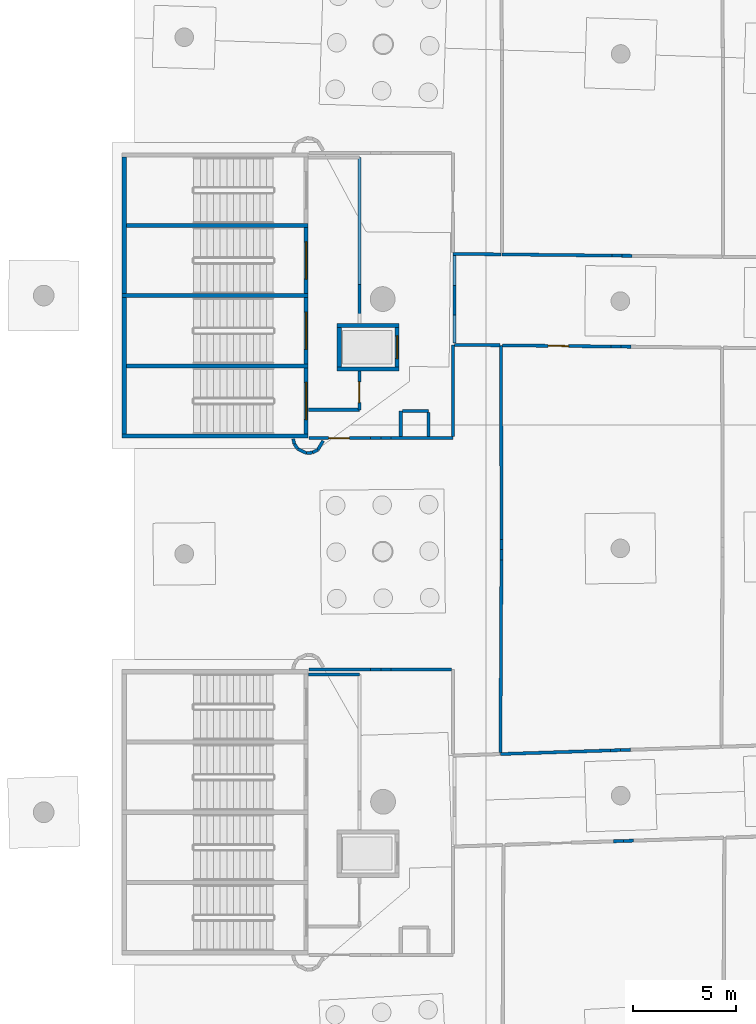
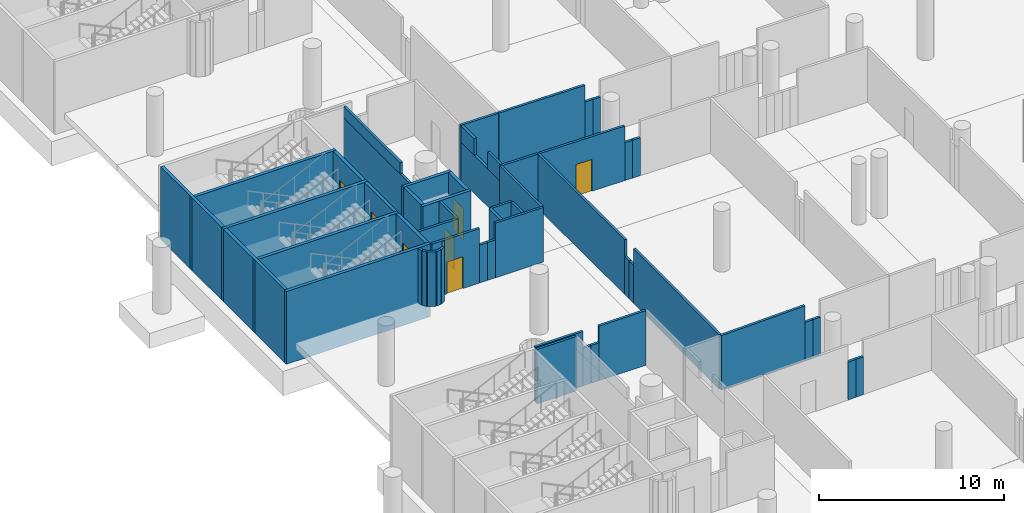
# One storey, part 47 of 142: 56 walls, 7 doors, 7 openings.
"""IFC4 building model written with IfcOpenShell, lengths in metres."""

from ifc_helpers import new_model, si_unit, direction, frame, frame_2d, origin, place, context, subcontext, project, spatial, rectangle, extrude, material, layer, layer_set, type_object, element, fill, save


model = new_model("IFC4")

# Units and contexts
model_context = context("Model", 3, precision=1e-05, world=origin(), true_north=direction((0.0, 1.0)))
body_context = subcontext(model_context, "Body", "Model", "MODEL_VIEW")
ifc_project = project(units=[si_unit("LENGTHUNIT", "METRE"), si_unit("AREAUNIT", "SQUARE_METRE"), si_unit("VOLUMEUNIT", "CUBIC_METRE"), si_unit("PLANEANGLEUNIT", "RADIAN"), si_unit("MASSUNIT", "GRAM", prefix="KILO")], contexts=[model_context])

# Site, building, storey
site_placement = place(None, origin())
site = spatial("IfcSite", under=ifc_project, at=site_placement, CompositionType="ELEMENT")
building_placement = place(site_placement, origin())
building = spatial("IfcBuilding", under=site, at=building_placement, Name="Meseta Stadium", CompositionType="ELEMENT")
storey_placement = place(building_placement, frame((0.0, 0.0, -4.0)))
storey = spatial("IfcBuildingStorey", under=building, at=storey_placement, Name="B1", CompositionType="ELEMENT", Elevation=-4.0)

# Walls
ifc_material_1 = material(Name="Concrete C40/50", Category="concrete")
ifc_layer_1 = layer(ifc_material_1, 0.199951171875)
ifc_layer_set_1 = layer_set([ifc_layer_1], Name="Core divider wall 200")
wall_type_1 = type_object("IfcWallType", Name="Core divider wall 200", PredefinedType="SHEAR", material=ifc_layer_set_1)
for number, where, z_axis, x_axis, name in (
    (1, (-97.60009765625, 9.64990234375, -1.199951171875), (0.0, 0.0, 1.0), (1.0, 0.0, 0.0), "Core 17 B1 stair A divider wall"),
    (2, (-97.60009765625, 2.85009765625, -1.199951171875), (0.0, 0.0, 1.0), (1.0, 0.0, 0.0), "Core 17 B1 stair B divider wall"),
):
    element("IfcWall", number, at=place(storey_placement, frame(where, z_axis=z_axis, x_axis=x_axis)), inside=storey, type_object=wall_type_1, Name=name, PredefinedType="SHEAR", context=body_context, shape_type="SweptSolid", body=[
        extrude(rectangle(XDim=9.0, YDim=0.199951171875, at=frame_2d((4.5, 0.0))), origin(), (0.0, 0.0, 1.0), 4.800048828125),
    ])
ifc_material_2 = material(Name="Concrete C40/50", Category="concrete")
ifc_layer_2 = layer(ifc_material_2, 0.199951171875)
ifc_layer_set_2 = layer_set([ifc_layer_2], Name="Core shaft wall 200")
wall_type_2 = type_object("IfcWallType", Name="Core shaft wall 200", PredefinedType="SHEAR", material=ifc_layer_set_2)
for number, where, z_axis, x_axis, name in (
    (3, (-97.60009765625, 6.25, -1.199951171875), (0.0, 0.0, 1.0), (1.0, 0.0, 0.0), "Core 17 B1 stair wall shared"),
    (4, (-97.60009765625, -0.550048828125, -1.199951171875), (0.0, 0.0, 1.0), (1.0, 0.0, 0.0), "Core 17 B1 stair wall B-side"),
):
    element("IfcWall", number, at=place(storey_placement, frame(where, z_axis=z_axis, x_axis=x_axis)), inside=storey, type_object=wall_type_2, Name=name, PredefinedType="SHEAR", context=body_context, shape_type="SweptSolid", body=[
        extrude(rectangle(XDim=9.0, YDim=0.199951171875, at=frame_2d((4.5, 0.0))), origin(), (0.0, 0.0, 1.0), 4.800048828125),
    ])
for number, where, z_axis, x_axis, name in (
    (5, (-97.5, 12.949951171875, -1.199951171875), (0.0, 0.0, 1.0), (0.0, -1.0, 0.0), "Core 17 B1 stair A outer end wall"),
    (6, (-97.5, 6.14990234375, -1.199951171875), (0.0, 0.0, 1.0), (0.0, -1.0, 0.0), "Core 17 B1 stair B outer end wall"),
):
    element("IfcWall", number, at=place(storey_placement, frame(where, z_axis=z_axis, x_axis=x_axis)), inside=storey, type_object=wall_type_2, Name=name, PredefinedType="SHEAR", context=body_context, shape_type="SweptSolid", body=[
        extrude(rectangle(XDim=6.599853515625, YDim=0.199951171875, at=frame_2d((3.2998046875, 0.0))), origin(), (0.0, 0.0, 1.0), 4.800048828125),
    ])

# Wall, opening, door
wall_1_placement = place(storey_placement, frame((-88.699951171875, 9.550048828125, -1.199951171875), z_axis=(0.0, 0.0, 1.0), x_axis=(0.0, -1.0, 0.0)))
wall_1 = element("IfcWall", 7, at=wall_1_placement, inside=storey, type_object=wall_type_2, Name="Core 17 B1 stair A2 inner end wall", PredefinedType="SHEAR", context=body_context, shape_type="SweptSolid", body=[
    extrude(rectangle(XDim=3.199951171875, YDim=0.199951171875, at=frame_2d((1.60009765625, 0.0))), origin(), (0.0, 0.0, 1.0), 4.800048828125),
])
opening_1_placement = place(wall_1_placement, frame((0.699951171875, 0.0, 1.199951171875)))
opening_1 = element("IfcOpeningElement", 8, at=opening_1_placement, cuts=wall_1, Name="Opening D226", PredefinedType="OPENING", context=body_context, shape_type="SweptSolid", body=[
    extrude(rectangle(XDim=1.800048828125, YDim=2.10009765625, at=frame_2d((0.89990234375, 1.050048828125))), frame((0.0, 0.10986328125, 0.0), z_axis=(0.0, -1.0, 0.0), x_axis=(1.0, 0.0, 0.0)), (0.0, 0.0, 1.0), 0.219970703125),
])
ifc_material_3 = material(Name="Steel", Category="steel")
door_type_1 = type_object("IfcDoorType", Name="Stair door 1800x2100", OperationType="DOUBLE_DOOR_SINGLE_SWING", PredefinedType="DOOR", material=ifc_material_3)
door_1_placement = place(opening_1_placement, origin())
door_1 = element("IfcDoor", 9, at=door_1_placement, inside=storey, type_object=door_type_1, Name="Stair A2 door 17 B1", OperationType="DOUBLE_DOOR_SINGLE_SWING", OverallHeight=2.10009765625, OverallWidth=1.800048828125, PredefinedType="DOOR", context=body_context, shape_type="SweptSolid", body=[
    extrude(rectangle(XDim=1.800048828125, YDim=2.10009765625, at=frame_2d((0.89990234375, 1.050048828125))), frame((0.0, 0.02490234375, 0.0), z_axis=(0.0, -1.0, 0.0), x_axis=(1.0, 0.0, 0.0)), (0.0, 0.0, 1.0), 0.050048828125),
])
fill(opening_1, door_1)

wall_2_placement = place(storey_placement, frame((-88.699951171875, 6.14990234375, -1.199951171875), z_axis=(0.0, 0.0, 1.0), x_axis=(0.0, -1.0, 0.0)))
wall_2 = element("IfcWall", 10, at=wall_2_placement, inside=storey, type_object=wall_type_2, Name="Core 17 B1 stair B1 inner end wall", PredefinedType="SHEAR", context=body_context, shape_type="SweptSolid", body=[
    extrude(rectangle(XDim=3.199951171875, YDim=0.199951171875, at=frame_2d((1.60009765625, 0.0))), origin(), (0.0, 0.0, 1.0), 4.800048828125),
])
opening_2_placement = place(wall_2_placement, frame((0.699951171875, 0.0, 1.199951171875)))
opening_2 = element("IfcOpeningElement", 11, at=opening_2_placement, cuts=wall_2, Name="Opening D227", PredefinedType="OPENING", context=body_context, shape_type="SweptSolid", body=[
    extrude(rectangle(XDim=1.800048828125, YDim=2.10009765625, at=frame_2d((0.89990234375, 1.050048828125))), frame((0.0, 0.10986328125, 0.0), z_axis=(0.0, -1.0, 0.0), x_axis=(1.0, 0.0, 0.0)), (0.0, 0.0, 1.0), 0.219970703125),
])
door_2_placement = place(opening_2_placement, origin())
door_2 = element("IfcDoor", 12, at=door_2_placement, inside=storey, type_object=door_type_1, Name="Stair B1 door 17 B1", OperationType="DOUBLE_DOOR_SINGLE_SWING", OverallHeight=2.10009765625, OverallWidth=1.800048828125, PredefinedType="DOOR", context=body_context, shape_type="SweptSolid", body=[
    extrude(rectangle(XDim=1.800048828125, YDim=2.10009765625, at=frame_2d((0.89990234375, 1.050048828125))), frame((0.0, 0.02490234375, 0.0), z_axis=(0.0, -1.0, 0.0), x_axis=(1.0, 0.0, 0.0)), (0.0, 0.0, 1.0), 0.050048828125),
])
fill(opening_2, door_2)

wall_3_placement = place(storey_placement, frame((-88.699951171875, 2.75, -1.199951171875), z_axis=(0.0, 0.0, 1.0), x_axis=(0.0, -1.0, 0.0)))
wall_3 = element("IfcWall", 13, at=wall_3_placement, inside=storey, type_object=wall_type_2, Name="Core 17 B1 stair B2 inner end wall", PredefinedType="SHEAR", context=body_context, shape_type="SweptSolid", body=[
    extrude(rectangle(XDim=3.199951171875, YDim=0.199951171875, at=frame_2d((1.60009765625, 0.0))), origin(), (0.0, 0.0, 1.0), 4.800048828125),
])
opening_3_placement = place(wall_3_placement, frame((0.699951171875, 0.0, 1.199951171875)))
opening_3 = element("IfcOpeningElement", 14, at=opening_3_placement, cuts=wall_3, Name="Opening D228", PredefinedType="OPENING", context=body_context, shape_type="SweptSolid", body=[
    extrude(rectangle(XDim=1.800048828125, YDim=2.10009765625, at=frame_2d((0.89990234375, 1.050048828125))), frame((0.0, 0.10986328125, 0.0), z_axis=(0.0, -1.0, 0.0), x_axis=(1.0, 0.0, 0.0)), (0.0, 0.0, 1.0), 0.219970703125),
])
door_3_placement = place(opening_3_placement, origin())
door_3 = element("IfcDoor", 15, at=door_3_placement, inside=storey, type_object=door_type_1, Name="Stair B2 door 17 B1", OperationType="DOUBLE_DOOR_SINGLE_SWING", OverallHeight=2.10009765625, OverallWidth=1.800048828125, PredefinedType="DOOR", context=body_context, shape_type="SweptSolid", body=[
    extrude(rectangle(XDim=1.800048828125, YDim=2.10009765625, at=frame_2d((0.89990234375, 1.050048828125))), frame((0.0, 0.02490234375, 0.0), z_axis=(0.0, -1.0, 0.0), x_axis=(1.0, 0.0, 0.0)), (0.0, 0.0, 1.0), 0.050048828125),
])
fill(opening_3, door_3)

# Walls
for number, where, z_axis, x_axis, name in (
    (16, (-87.199951171875, 4.800048828125, -1.199951171875), (0.0, 0.0, 1.0), (1.0, 0.0, 0.0), "Core 17 B1 lift shaft wall left"),
    (17, (-87.199951171875, 2.699951171875, -1.199951171875), (0.0, 0.0, 1.0), (1.0, 0.0, 0.0), "Core 17 B1 lift shaft wall right"),
):
    element("IfcWall", number, at=place(storey_placement, frame(where, z_axis=z_axis, x_axis=x_axis)), inside=storey, type_object=wall_type_2, Name=name, PredefinedType="SHEAR", context=body_context, shape_type="SweptSolid", body=[
        extrude(rectangle(XDim=3.0, YDim=0.199951171875, at=frame_2d((1.5, 0.0))), origin(), (0.0, 0.0, 1.0), 4.800048828125),
    ])
wall_4_placement = place(storey_placement, frame((-87.10009765625, 4.699951171875, -1.199951171875), z_axis=(0.0, 0.0, 1.0), x_axis=(0.0, -1.0, 0.0)))
element("IfcWall", 18, at=wall_4_placement, inside=storey, type_object=wall_type_2, Name="Core 17 B1 lift shaft back wall", PredefinedType="SHEAR", context=body_context, shape_type="SweptSolid", body=[
    extrude(rectangle(XDim=1.89990234375, YDim=0.199951171875, at=frame_2d((0.949951171875, 0.0))), origin(), (0.0, 0.0, 1.0), 4.800048828125),
])

# Wall, opening, door
wall_5_placement = place(storey_placement, frame((-84.300048828125, 4.699951171875, -1.199951171875), z_axis=(0.0, 0.0, 1.0), x_axis=(0.0, -1.0, 0.0)))
wall_5 = element("IfcWall", 19, at=wall_5_placement, inside=storey, type_object=wall_type_2, Name="Core 17 B1 lift shaft front wall", PredefinedType="SHEAR", context=body_context, shape_type="SweptSolid", body=[
    extrude(rectangle(XDim=1.89990234375, YDim=0.199951171875, at=frame_2d((0.949951171875, 0.0))), origin(), (0.0, 0.0, 1.0), 4.800048828125),
])
opening_4_placement = place(wall_5_placement, frame((0.39990234375, 0.0, 1.199951171875)))
opening_4 = element("IfcOpeningElement", 20, at=opening_4_placement, cuts=wall_5, Name="Opening LD91", PredefinedType="OPENING", context=body_context, shape_type="SweptSolid", body=[
    extrude(rectangle(XDim=1.10009765625, YDim=2.10009765625, at=frame_2d((0.550048828125, 1.050048828125))), frame((0.0, 0.10986328125, 0.0), z_axis=(0.0, -1.0, 0.0), x_axis=(1.0, 0.0, 0.0)), (0.0, 0.0, 1.0), 0.219970703125),
])
ifc_material_4 = material(Name="Steel", Category="steel")
door_type_2 = type_object("IfcDoorType", Name="Lift landing door 1100x2100", OperationType="SLIDING_TO_LEFT", PredefinedType="DOOR", material=ifc_material_4)
door_4_placement = place(opening_4_placement, origin())
door_4 = element("IfcDoor", 21, at=door_4_placement, inside=storey, type_object=door_type_2, Name="Lift landing door LD91", OperationType="SLIDING_TO_LEFT", OverallHeight=2.10009765625, OverallWidth=1.10009765625, PredefinedType="DOOR", context=body_context, shape_type="SweptSolid", body=[
    extrude(rectangle(XDim=1.10009765625, YDim=2.10009765625, at=frame_2d((0.550048828125, 1.050048828125))), frame((0.0, 0.02490234375, 0.0), z_axis=(0.0, -1.0, 0.0), x_axis=(1.0, 0.0, 0.0)), (0.0, 0.0, 1.0), 0.050048828125),
])
fill(opening_4, door_4)

# Walls
ifc_material_5 = material(Name="Masonry blockwork", Category="masonry")
ifc_layer_3 = layer(ifc_material_5, 0.14990234375)
ifc_layer_set_3 = layer_set([ifc_layer_3], Name="Partition 150")
wall_type_3 = type_object("IfcWallType", Name="Partition 150", PredefinedType="PARTITIONING", material=ifc_layer_set_3)
wall_6_placement = place(storey_placement, frame((-72.930908203125, 8.17529296875, 0.0), z_axis=(0.0, 0.0, 1.0), x_axis=(-0.999938401812, 0.011099215358, 0.0)))
element("IfcWall", 22, at=wall_6_placement, inside=storey, type_object=wall_type_3, Name="Partition B1 B1-cell15-2-0", PredefinedType="PARTITIONING", context=body_context, shape_type="SweptSolid", body=[
    extrude(rectangle(XDim=0.48388671875, YDim=0.14990234375, at=frame_2d((0.241943359375, 0.0))), origin(), (0.0, 0.0, 1.0), 2.5),
])
wall_7_placement = place(storey_placement, frame((-73.414794921875, 8.1806640625, 0.0), z_axis=(0.0, 0.0, 1.0), x_axis=(-0.999943930506, 0.010589421352, 0.0)))
element("IfcWall", 23, at=wall_7_placement, inside=storey, type_object=wall_type_3, Name="Partition B1 B1-cell15-2-0", PredefinedType="PARTITIONING", context=body_context, shape_type="SweptSolid", body=[
    extrude(rectangle(XDim=0.484130859375, YDim=0.14990234375, at=frame_2d((0.2421875, 0.0))), origin(), (0.0, 0.0, 1.0), 2.5),
])
wall_8_placement = place(storey_placement, frame((-73.89892578125, 8.185791015625, 0.0), z_axis=(0.0, 0.0, 1.0), x_axis=(-0.999939460098, 0.011003460359, 0.0)))
element("IfcWall", 24, at=wall_8_placement, inside=storey, type_object=wall_type_3, Name="Partition B1 B1-cell15-2-0", PredefinedType="PARTITIONING", context=body_context, shape_type="SweptSolid", body=[
    extrude(rectangle(XDim=5.324951171875, YDim=0.14990234375, at=frame_2d((2.66259765625, 0.0))), origin(), (0.0, 0.0, 1.0), 3.60009765625),
])
wall_9_placement = place(storey_placement, frame((-79.273681640625, 8.244873046875, 0.0), z_axis=(0.0, 0.0, 1.0), x_axis=(-0.999940447056, 0.010913401878, 0.0)))
element("IfcWall", 25, at=wall_9_placement, inside=storey, type_object=wall_type_3, Name="Partition B1 B1-cell15-3-0", PredefinedType="PARTITIONING", context=body_context, shape_type="SweptSolid", body=[
    extrude(rectangle(XDim=2.32666015625, YDim=0.14990234375, at=frame_2d((1.163330078125, 0.0))), origin(), (0.0, 0.0, 1.0), 3.60009765625),
])
for number, where, z_axis, x_axis, name in (
    (26, (-73.01171875, -15.726806640625, 0.0), (0.0, 0.0, 1.0), (-0.99946267225, -0.03277753466, 0.0), "Partition B1 B1-cell16-2-0"),
    (27, (-73.49560546875, -15.74267578125, 0.0), (0.0, 0.0, 1.0), (-0.999446025752, -0.033281250101, 0.0), "Partition B1 B1-cell16-2-0"),
):
    element("IfcWall", number, at=place(storey_placement, frame(where, z_axis=z_axis, x_axis=x_axis)), inside=storey, type_object=wall_type_3, Name=name, PredefinedType="PARTITIONING", context=body_context, shape_type="SweptSolid", body=[
        extrude(rectangle(XDim=0.484130859375, YDim=0.14990234375, at=frame_2d((0.2421875, 0.0))), origin(), (0.0, 0.0, 1.0), 2.5),
    ])
wall_10_placement = place(storey_placement, frame((-73.9794921875, -15.7587890625, 0.0), z_axis=(0.0, 0.0, 1.0), x_axis=(-0.999461070607, -0.03282633608, 0.0)))
element("IfcWall", 28, at=wall_10_placement, inside=storey, type_object=wall_type_3, Name="Partition B1 B1-cell16-2-0", PredefinedType="PARTITIONING", context=body_context, shape_type="SweptSolid", body=[
    extrude(rectangle(XDim=5.3251953125, YDim=0.14990234375, at=frame_2d((2.66259765625, 0.0))), origin(), (0.0, 0.0, 1.0), 3.60009765625),
])
wall_11_placement = place(storey_placement, frame((-79.30126953125, -15.858642578125, 0.0), z_axis=(0.0, 0.0, 1.0), x_axis=(0.00544865386, 0.999985155975, 0.0)))
element("IfcWall", 29, at=wall_11_placement, inside=storey, type_object=wall_type_3, Name="Partition B1 B1-cell16-2-0", PredefinedType="PARTITIONING", context=body_context, shape_type="SweptSolid", body=[
    extrude(rectangle(XDim=9.320068359375, YDim=0.14990234375, at=frame_2d((4.66015625, 0.0))), origin(), (0.0, 0.0, 1.0), 3.60009765625),
])
wall_12_placement = place(storey_placement, frame((-79.25048828125, -6.538818359375, 0.0), z_axis=(0.0, 0.0, 1.0), x_axis=(0.005432018623, 0.999985246478, 0.0)))
element("IfcWall", 30, at=wall_12_placement, inside=storey, type_object=wall_type_3, Name="Partition B1 B1-cell16-2-0", PredefinedType="PARTITIONING", context=body_context, shape_type="SweptSolid", body=[
    extrude(rectangle(XDim=0.494384765625, YDim=0.14990234375, at=frame_2d((0.2470703125, 0.0))), origin(), (0.0, 0.0, 1.0), 2.5),
])
wall_13_placement = place(storey_placement, frame((-79.247802734375, -6.04443359375, 0.0), z_axis=(0.0, 0.0, 1.0), x_axis=(-0.001974329814, 0.999998051009, 0.0)))
element("IfcWall", 31, at=wall_13_placement, inside=storey, type_object=wall_type_3, Name="Partition B1 B1-cell16-2-0", PredefinedType="PARTITIONING", context=body_context, shape_type="SweptSolid", body=[
    extrude(rectangle(XDim=0.49462890625, YDim=0.14990234375, at=frame_2d((0.247314453125, 0.0))), origin(), (0.0, 0.0, 1.0), 2.5),
])
wall_14_placement = place(storey_placement, frame((-79.248779296875, -5.5498046875, 0.0), z_axis=(0.0, 0.0, 1.0), x_axis=(-0.002442883638, 0.999997016155, 0.0)))
element("IfcWall", 32, at=wall_14_placement, inside=storey, type_object=wall_type_3, Name="Partition B1 B1-cell16-2-0", PredefinedType="PARTITIONING", context=body_context, shape_type="SweptSolid", body=[
    extrude(rectangle(XDim=9.394287109375, YDim=0.14990234375, at=frame_2d((4.697265625, 0.0))), origin(), (0.0, 0.0, 1.0), 3.60009765625),
])

# Wall, opening, door
wall_15_placement = place(storey_placement, frame((-79.19677734375, 3.84375, 0.0), z_axis=(0.0, 0.0, 1.0), x_axis=(0.999939777793, -0.010974551809, 0.0)))
wall_15 = element("IfcWall", 33, at=wall_15_placement, inside=storey, type_object=wall_type_3, Name="Partition B1 B1-cell16-2-0", PredefinedType="PARTITIONING", context=body_context, shape_type="SweptSolid", body=[
    extrude(rectangle(XDim=5.25, YDim=0.14990234375, at=frame_2d((2.625, 0.0))), origin(), (0.0, 0.0, 1.0), 3.60009765625),
])
opening_5_placement = place(wall_15_placement, frame((2.199951171875, 0.0, 0.0)))
opening_5 = element("IfcOpeningElement", 34, at=opening_5_placement, cuts=wall_15, Name="Opening D480", PredefinedType="OPENING", context=body_context, shape_type="SweptSolid", body=[
    extrude(rectangle(XDim=1.0, YDim=2.10009765625, at=frame_2d((0.5, 1.050048828125))), frame((0.0, 0.0849609375, 0.0), z_axis=(0.0, -1.0, 0.0), x_axis=(1.0, 0.0, 0.0)), (0.0, 0.0, 1.0), 0.169921875),
])
ifc_material_6 = material(Name="Steel", Category="steel")
door_type_3 = type_object("IfcDoorType", Name="Fire door 1000x2100 EI2 120", OperationType="NOTDEFINED", PredefinedType="DOOR", material=ifc_material_6)
door_5_placement = place(opening_5_placement, origin())
door_5 = element("IfcDoor", 35, at=door_5_placement, inside=storey, type_object=door_type_3, Name="Door D480", OperationType="SINGLE_SWING_LEFT", OverallHeight=2.10009765625, OverallWidth=1.0, PredefinedType="DOOR", context=body_context, shape_type="SweptSolid", body=[
    extrude(rectangle(XDim=1.0, YDim=2.10009765625, at=frame_2d((0.5, 1.050048828125))), frame((0.0, 0.02490234375, 0.0), z_axis=(0.0, -1.0, 0.0), x_axis=(1.0, 0.0, 0.0)), (0.0, 0.0, 1.0), 0.050048828125),
])
fill(opening_5, door_5)

# Walls
wall_16_placement = place(storey_placement, frame((-73.947021484375, 3.7861328125, 0.0), z_axis=(0.0, 0.0, 1.0), x_axis=(0.999938401812, -0.011099215358, 0.0)))
element("IfcWall", 36, at=wall_16_placement, inside=storey, type_object=wall_type_3, Name="Partition B1 B1-cell16-2-0", PredefinedType="PARTITIONING", context=body_context, shape_type="SweptSolid", body=[
    extrude(rectangle(XDim=0.48388671875, YDim=0.14990234375, at=frame_2d((0.241943359375, 0.0))), origin(), (0.0, 0.0, 1.0), 2.5),
])
wall_17_placement = place(storey_placement, frame((-73.463134765625, 3.78076171875, 0.0), z_axis=(0.0, 0.0, 1.0), x_axis=(0.999938463917, -0.011093618863, 0.0)))
element("IfcWall", 37, at=wall_17_placement, inside=storey, type_object=wall_type_3, Name="Partition B1 B1-cell16-2-0", PredefinedType="PARTITIONING", context=body_context, shape_type="SweptSolid", body=[
    extrude(rectangle(XDim=0.484130859375, YDim=0.14990234375, at=frame_2d((0.2421875, 0.0))), origin(), (0.0, 0.0, 1.0), 2.5),
])
wall_18_placement = place(storey_placement, frame((-81.675048828125, -11.85009765625, 0.0), z_axis=(0.0, 0.0, 1.0), x_axis=(-1.0, 0.0, 0.0)))
element("IfcWall", 38, at=wall_18_placement, inside=storey, type_object=wall_type_3, Name="Partition B1 B1-cell16-3-0", PredefinedType="PARTITIONING", context=body_context, shape_type="SweptSolid", body=[
    extrude(rectangle(XDim=2.907958984375, YDim=0.14990234375, at=frame_2d((1.4541015625, 0.0))), origin(), (0.0, 0.0, 1.0), 3.60009765625),
])
for number, where, z_axis, x_axis, name in (
    (39, (-84.5830078125, -11.85009765625, 0.0), (0.0, 0.0, 1.0), (-1.0, 0.0, 0.0), "Partition B1 B1-cell16-3-0"),
    (40, (-85.080078125, -11.85009765625, 0.0), (0.0, 0.0, 1.0), (-1.0, 0.0, 0.0), "Partition B1 B1-cell16-3-0"),
):
    element("IfcWall", number, at=place(storey_placement, frame(where, z_axis=z_axis, x_axis=x_axis)), inside=storey, type_object=wall_type_3, Name=name, PredefinedType="PARTITIONING", context=body_context, shape_type="SweptSolid", body=[
        extrude(rectangle(XDim=0.4970703125, YDim=0.14990234375, at=frame_2d((0.24853515625, 0.0))), origin(), (0.0, 0.0, 1.0), 2.5),
    ])
wall_19_placement = place(storey_placement, frame((-85.5771484375, -11.85009765625, 0.0), z_axis=(0.0, 0.0, 1.0), x_axis=(-1.0, 0.0, 0.0)))
element("IfcWall", 41, at=wall_19_placement, inside=storey, type_object=wall_type_3, Name="Partition B1 B1-cell16-3-0", PredefinedType="PARTITIONING", context=body_context, shape_type="SweptSolid", body=[
    extrude(rectangle(XDim=2.98291015625, YDim=0.14990234375, at=frame_2d((1.491455078125, 0.0))), origin(), (0.0, 0.0, 1.0), 3.60009765625),
])

# Wall, opening, door
wall_20_placement = place(storey_placement, frame((-88.56005859375, -0.64990234375, 0.0), z_axis=(0.0, 0.0, 1.0), x_axis=(1.0, 0.0, 0.0)))
wall_20 = element("IfcWall", 42, at=wall_20_placement, inside=storey, type_object=wall_type_3, Name="Partition B1 B1-cell16-3-0", PredefinedType="PARTITIONING", context=body_context, shape_type="SweptSolid", body=[
    extrude(rectangle(XDim=2.98291015625, YDim=0.14990234375, at=frame_2d((1.491455078125, 0.0))), origin(), (0.0, 0.0, 1.0), 3.60009765625),
])
opening_6_placement = place(wall_20_placement, frame((0.949951171875, 0.0, 0.0)))
opening_6 = element("IfcOpeningElement", 43, at=opening_6_placement, cuts=wall_20, Name="Opening D481", PredefinedType="OPENING", context=body_context, shape_type="SweptSolid", body=[
    extrude(rectangle(XDim=1.0, YDim=2.10009765625, at=frame_2d((0.5, 1.050048828125))), frame((0.0, 0.0849609375, 0.0), z_axis=(0.0, -1.0, 0.0), x_axis=(1.0, 0.0, 0.0)), (0.0, 0.0, 1.0), 0.169921875),
])
ifc_material_7 = material(Name="Steel", Category="steel")
door_type_4 = type_object("IfcDoorType", Name="Fire door 1000x2100 EI2 60", OperationType="NOTDEFINED", PredefinedType="DOOR", material=ifc_material_7)
door_6_placement = place(opening_6_placement, origin())
door_6 = element("IfcDoor", 44, at=door_6_placement, inside=storey, type_object=door_type_4, Name="Door D481", OperationType="SINGLE_SWING_RIGHT", OverallHeight=2.10009765625, OverallWidth=1.0, PredefinedType="DOOR", context=body_context, shape_type="SweptSolid", body=[
    extrude(rectangle(XDim=1.0, YDim=2.10009765625, at=frame_2d((0.5, 1.050048828125))), frame((0.0, 0.02490234375, 0.0), z_axis=(0.0, -1.0, 0.0), x_axis=(1.0, 0.0, 0.0)), (0.0, 0.0, 1.0), 0.050048828125),
])
fill(opening_6, door_6)

# Walls
for number, where, z_axis, x_axis, name in (
    (45, (-85.5771484375, -0.64990234375, 0.0), (0.0, 0.0, 1.0), (1.0, 0.0, 0.0), "Partition B1 B1-cell16-3-0"),
    (46, (-85.080078125, -0.64990234375, 0.0), (0.0, 0.0, 1.0), (1.0, 0.0, 0.0), "Partition B1 B1-cell16-3-0"),
):
    element("IfcWall", number, at=place(storey_placement, frame(where, z_axis=z_axis, x_axis=x_axis)), inside=storey, type_object=wall_type_3, Name=name, PredefinedType="PARTITIONING", context=body_context, shape_type="SweptSolid", body=[
        extrude(rectangle(XDim=0.4970703125, YDim=0.14990234375, at=frame_2d((0.24853515625, 0.0))), origin(), (0.0, 0.0, 1.0), 2.5),
    ])
wall_21_placement = place(storey_placement, frame((-84.5830078125, -0.64990234375, 0.0), z_axis=(0.0, 0.0, 1.0), x_axis=(1.0, 0.0, 0.0)))
element("IfcWall", 47, at=wall_21_placement, inside=storey, type_object=wall_type_3, Name="Partition B1 B1-cell16-3-0", PredefinedType="PARTITIONING", context=body_context, shape_type="SweptSolid", body=[
    extrude(rectangle(XDim=2.98291015625, YDim=0.14990234375, at=frame_2d((1.491455078125, 0.0))), origin(), (0.0, 0.0, 1.0), 3.60009765625),
])
wall_22_placement = place(storey_placement, frame((-81.60009765625, -0.574951171875, 0.0), z_axis=(0.0, 0.0, 1.0), x_axis=(0.0, 1.0, 0.0)))
element("IfcWall", 48, at=wall_22_placement, inside=storey, type_object=wall_type_3, Name="Partition B1 B1-cell16-3-0", PredefinedType="PARTITIONING", context=body_context, shape_type="SweptSolid", body=[
    extrude(rectangle(XDim=4.445068359375, YDim=0.14990234375, at=frame_2d((2.22265625, 0.0))), origin(), (0.0, 0.0, 1.0), 3.60009765625),
])
wall_23_placement = place(storey_placement, frame((-81.52490234375, 3.869140625, 0.0), z_axis=(0.0, 0.0, 1.0), x_axis=(0.999941036186, -0.010859288735, 0.0)))
element("IfcWall", 49, at=wall_23_placement, inside=storey, type_object=wall_type_3, Name="Partition B1 B1-cell16-3-0", PredefinedType="PARTITIONING", context=body_context, shape_type="SweptSolid", body=[
    extrude(rectangle(XDim=2.203369140625, YDim=0.14990234375, at=frame_2d((1.1015625, 0.0))), origin(), (0.0, 0.0, 1.0), 3.60009765625),
])
for number, where, z_axis, x_axis, name in (
    (50, (-73.8349609375, -20.15625, 0.0), (0.0, 0.0, 1.0), (0.99946267225, 0.03277753466, 0.0), "Partition B1 B1-cell17-2-0"),
    (51, (-73.35107421875, -20.140380859375, 0.0), (0.0, 0.0, 1.0), (0.99946267225, 0.03277753466, 0.0), "Partition B1 B1-cell17-2-0"),
):
    element("IfcWall", number, at=place(storey_placement, frame(where, z_axis=z_axis, x_axis=x_axis)), inside=storey, type_object=wall_type_3, Name=name, PredefinedType="PARTITIONING", context=body_context, shape_type="SweptSolid", body=[
        extrude(rectangle(XDim=0.484130859375, YDim=0.14990234375, at=frame_2d((0.2421875, 0.0))), origin(), (0.0, 0.0, 1.0), 2.5),
    ])
wall_24_placement = place(storey_placement, frame((-84.125, 0.675048828125, 0.0), z_axis=(0.0, 0.0, 1.0), x_axis=(0.0, -1.0, 0.0)))
element("IfcWall", 52, at=wall_24_placement, inside=storey, type_object=wall_type_3, Name="Pressurisation shaft wall B1 core 17", PredefinedType="PARTITIONING", context=body_context, shape_type="SweptSolid", body=[
    extrude(rectangle(XDim=1.2490234375, YDim=0.14990234375, at=frame_2d((0.62451171875, 0.0))), origin(), (0.0, 0.0, 1.0), 3.60009765625),
])
wall_25_placement = place(storey_placement, frame((-82.77490234375, -0.573974609375, 0.0), z_axis=(0.0, 0.0, 1.0), x_axis=(0.0, 1.0, 0.0)))
element("IfcWall", 53, at=wall_25_placement, inside=storey, type_object=wall_type_3, Name="Pressurisation shaft wall B1 core 17", PredefinedType="PARTITIONING", context=body_context, shape_type="SweptSolid", body=[
    extrude(rectangle(XDim=1.174072265625, YDim=0.14990234375, at=frame_2d((0.5869140625, 0.0))), origin(), (0.0, 0.0, 1.0), 3.60009765625),
])
wall_26_placement = place(storey_placement, frame((-82.77490234375, 0.675048828125, 0.0), z_axis=(0.0, 0.0, 1.0), x_axis=(-1.0, 0.0, 0.0)))
element("IfcWall", 54, at=wall_26_placement, inside=storey, type_object=wall_type_3, Name="Pressurisation shaft wall B1 core 17", PredefinedType="PARTITIONING", context=body_context, shape_type="SweptSolid", body=[
    extrude(rectangle(XDim=1.275146484375, YDim=0.14990234375, at=frame_2d((0.6376953125, 0.0))), origin(), (0.0, 0.0, 1.0), 3.60009765625),
])
wall_27_placement = place(storey_placement, frame((-88.590087890625, 0.72509765625, 0.0), z_axis=(0.0, 0.0, 1.0), x_axis=(1.0, 0.0, 0.0)))
element("IfcWall", 55, at=wall_27_placement, inside=storey, type_object=wall_type_3, Name="Stair vestibule wall B1 core 17", PredefinedType="PARTITIONING", context=body_context, shape_type="SweptSolid", body=[
    extrude(rectangle(XDim=2.465087890625, YDim=0.14990234375, at=frame_2d((1.232421875, 0.0))), origin(), (0.0, 0.0, 1.0), 3.60009765625),
])

# Wall, opening, door
wall_28_placement = place(storey_placement, frame((-86.125, 0.72509765625, 0.0), z_axis=(0.0, 0.0, 1.0), x_axis=(0.0, 1.0, 0.0)))
wall_28 = element("IfcWall", 56, at=wall_28_placement, inside=storey, type_object=wall_type_3, Name="Stair vestibule wall B1 core 17", PredefinedType="PARTITIONING", context=body_context, shape_type="SweptSolid", body=[
    extrude(rectangle(XDim=1.864990234375, YDim=0.14990234375, at=frame_2d((0.9326171875, 0.0))), origin(), (0.0, 0.0, 1.0), 3.60009765625),
])
opening_7_placement = place(wall_28_placement, frame((0.35009765625, 0.0, 0.0)))
opening_7 = element("IfcOpeningElement", 57, at=opening_7_placement, cuts=wall_28, Name="Opening D731", PredefinedType="OPENING", context=body_context, shape_type="SweptSolid", body=[
    extrude(rectangle(XDim=1.0, YDim=2.10009765625, at=frame_2d((0.5, 1.050048828125))), frame((0.0, 0.0849609375, 0.0), z_axis=(0.0, -1.0, 0.0), x_axis=(1.0, 0.0, 0.0)), (0.0, 0.0, 1.0), 0.169921875),
])
door_7_placement = place(opening_7_placement, origin())
door_7 = element("IfcDoor", 58, at=door_7_placement, inside=storey, type_object=door_type_4, Name="Stair vestibule door B1 core 17", OperationType="SINGLE_SWING_LEFT", OverallHeight=2.10009765625, OverallWidth=1.0, PredefinedType="DOOR", context=body_context, shape_type="SweptSolid", body=[
    extrude(rectangle(XDim=1.0, YDim=2.10009765625, at=frame_2d((0.5, 1.050048828125))), frame((0.0, 0.02490234375, 0.0), z_axis=(0.0, -1.0, 0.0), x_axis=(1.0, 0.0, 0.0)), (0.0, 0.0, 1.0), 0.050048828125),
])
fill(opening_7, door_7)

# Walls
wall_29_placement = place(storey_placement, frame((-86.125, 4.909912109375, 0.0), z_axis=(0.0, 0.0, 1.0), x_axis=(0.0, 1.0, 0.0)))
element("IfcWall", 59, at=wall_29_placement, inside=storey, type_object=wall_type_3, Name="Stair vestibule wall B1 core 17", PredefinedType="PARTITIONING", context=body_context, shape_type="SweptSolid", body=[
    extrude(rectangle(XDim=8.01513671875, YDim=0.14990234375, at=frame_2d((4.007568359375, 0.0))), origin(), (0.0, 0.0, 1.0), 2.85009765625),
])
wall_30_placement = place(storey_placement, frame((-86.125, 6.7958984375, 2.85009765625), z_axis=(0.0, 0.0, 1.0), x_axis=(0.0, 1.0, 0.0)))
element("IfcWall", 60, at=wall_30_placement, inside=storey, type_object=wall_type_3, Name="Stair vestibule wall B1 core 17", PredefinedType="PARTITIONING", context=body_context, shape_type="SweptSolid", body=[
    extrude(rectangle(XDim=6.129150390625, YDim=0.14990234375, at=frame_2d((3.064453125, 0.0))), origin(), (0.0, 0.0, 1.0), 0.75),
])
wall_31_placement = place(storey_placement, frame((-89.329833984375, -0.678466796875, 0.0), z_axis=(0.0, 0.0, 1.0), x_axis=(0.230253879357, -0.973130593004, 0.0)))
element("IfcWall", 61, at=wall_31_placement, inside=storey, type_object=wall_type_3, Name="Stair vestibule wall B1 core 17", PredefinedType="PARTITIONING", context=body_context, shape_type="SweptSolid", body=[
    extrude(rectangle(XDim=0.257568359375, YDim=0.14990234375, at=frame_2d((0.12890625, 0.0))), origin(), (0.0, 0.0, 1.0), 3.60009765625),
])
wall_32_placement = place(storey_placement, frame((-89.2705078125, -0.92919921875, 0.0), z_axis=(0.0, 0.0, 1.0), x_axis=(0.555678694372, -0.831397130511, 0.0)))
element("IfcWall", 62, at=wall_32_placement, inside=storey, type_object=wall_type_3, Name="Stair vestibule wall B1 core 17", PredefinedType="PARTITIONING", context=body_context, shape_type="SweptSolid", body=[
    extrude(rectangle(XDim=0.287841796875, YDim=0.14990234375, at=frame_2d((0.14404296875, 0.0))), origin(), (0.0, 0.0, 1.0), 3.60009765625),
])
wall_33_placement = place(storey_placement, frame((-89.110595703125, -1.16845703125, 0.0), z_axis=(0.0, 0.0, 1.0), x_axis=(0.90398642908, -0.427561148889, 0.0)))
element("IfcWall", 63, at=wall_33_placement, inside=storey, type_object=wall_type_3, Name="Stair vestibule wall B1 core 17", PredefinedType="PARTITIONING", context=body_context, shape_type="SweptSolid", body=[
    extrude(rectangle(XDim=0.479736328125, YDim=0.14990234375, at=frame_2d((0.23974609375, 0.0))), origin(), (0.0, 0.0, 1.0), 3.60009765625),
])
for number, where, z_axis, x_axis, name in (
    (64, (-88.677001953125, -1.37353515625, 0.0), (0.0, 0.0, 1.0), (0.995194714408, 0.097915680128, 0.0), "Stair vestibule wall B1 core 17"),
    (65, (-88.38916015625, -1.34521484375, 0.0), (0.0, 0.0, 1.0), (0.881768319, 0.471682765858, 0.0), "Stair vestibule wall B1 core 17"),
):
    element("IfcWall", number, at=place(storey_placement, frame(where, z_axis=z_axis, x_axis=x_axis)), inside=storey, type_object=wall_type_3, Name=name, PredefinedType="PARTITIONING", context=body_context, shape_type="SweptSolid", body=[
        extrude(rectangle(XDim=0.289306640625, YDim=0.14990234375, at=frame_2d((0.14453125, 0.0))), origin(), (0.0, 0.0, 1.0), 3.60009765625),
    ])
wall_34_placement = place(storey_placement, frame((-88.134033203125, -1.208740234375, 0.0), z_axis=(0.0, 0.0, 1.0), x_axis=(0.513060623194, 0.858352373404, 0.0)))
element("IfcWall", 66, at=wall_34_placement, inside=storey, type_object=wall_type_3, Name="Stair vestibule wall B1 core 17", PredefinedType="PARTITIONING", context=body_context, shape_type="SweptSolid", body=[
    extrude(rectangle(XDim=0.50048828125, YDim=0.14990234375, at=frame_2d((0.250244140625, 0.0))), origin(), (0.0, 0.0, 1.0), 3.60009765625),
])
wall_35_placement = place(storey_placement, frame((-81.52490234375, 3.9453125, 0.0), z_axis=(0.0, 0.0, 1.0), x_axis=(0.0, 1.0, 0.0)))
element("IfcWall", 67, at=wall_35_placement, inside=storey, type_object=wall_type_3, Name="Stair vestibule wall B1 core 17", PredefinedType="PARTITIONING", context=body_context, shape_type="SweptSolid", body=[
    extrude(rectangle(XDim=4.239990234375, YDim=0.14990234375, at=frame_2d((2.1201171875, 0.0))), origin(), (0.0, 0.0, 1.0), 2.5),
])
wall_36_placement = place(storey_placement, frame((-81.52490234375, 3.9453125, 2.5), z_axis=(0.0, 0.0, 1.0), x_axis=(0.0, 1.0, 0.0)))
element("IfcWall", 68, at=wall_36_placement, inside=storey, type_object=wall_type_3, Name="Stair vestibule wall B1 core 17", PredefinedType="PARTITIONING", context=body_context, shape_type="SweptSolid", body=[
    extrude(rectangle(XDim=1.369873046875, YDim=0.14990234375, at=frame_2d((0.68505859375, 0.0))), origin(), (0.0, 0.0, 1.0), 1.10009765625),
])
wall_37_placement = place(storey_placement, frame((-81.52490234375, 6.750244140625, 2.5), z_axis=(0.0, 0.0, 1.0), x_axis=(0.0, 1.0, 0.0)))
element("IfcWall", 69, at=wall_37_placement, inside=storey, type_object=wall_type_3, Name="Stair vestibule wall B1 core 17", PredefinedType="PARTITIONING", context=body_context, shape_type="SweptSolid", body=[
    extrude(rectangle(XDim=1.43505859375, YDim=0.14990234375, at=frame_2d((0.717529296875, 0.0))), origin(), (0.0, 0.0, 1.0), 1.10009765625),
])
wall_38_placement = place(storey_placement, frame((-86.125, -12.074951171875, 0.0), z_axis=(0.0, 0.0, 1.0), x_axis=(-1.0, 0.0, 0.0)))
element("IfcWall", 70, at=wall_38_placement, inside=storey, type_object=wall_type_3, Name="Stair vestibule wall B1 core 18", PredefinedType="PARTITIONING", context=body_context, shape_type="SweptSolid", body=[
    extrude(rectangle(XDim=2.465087890625, YDim=0.14990234375, at=frame_2d((1.232421875, 0.0))), origin(), (0.0, 0.0, 1.0), 3.60009765625),
])

save(model, "model.ifc")
